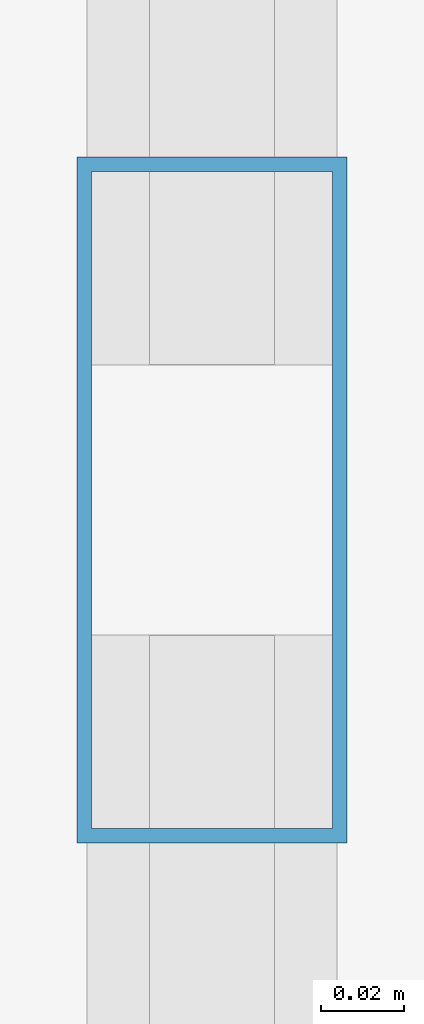
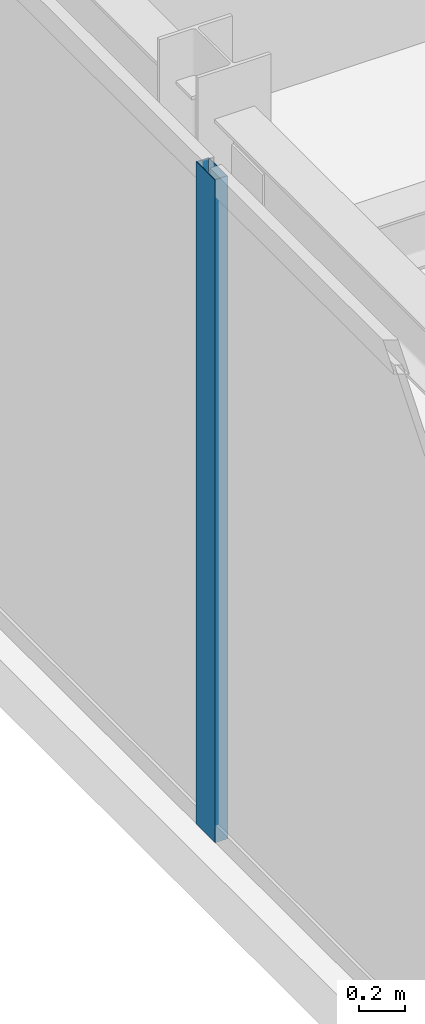
# One storey, part 9 of 25: 1 member, 1 element without a shape of its own.
"""IFC4 building model written with IfcOpenShell, lengths in metres."""

from ifc_helpers import new_model, si_unit, direction, frame, origin, origin_2d, place, context, subcontext, project, spatial, hollow_rectangle, extrude, source, transform, mapped, material, layer, layer_set, material_profile, profile_set, type_object, type_shapes, element, aggregate, save


model = new_model("IFC4")

# Units and contexts
model_context = context("Model", 3, precision=1e-05, world=origin(), true_north=direction((0.0, 1.0)))
body_context = subcontext(model_context, "Body", "Model", "MODEL_VIEW")
ifc_project = project(units=[si_unit("LENGTHUNIT", "METRE"), si_unit("AREAUNIT", "SQUARE_METRE"), si_unit("VOLUMEUNIT", "CUBIC_METRE"), si_unit("PLANEANGLEUNIT", "RADIAN"), si_unit("MASSUNIT", "GRAM", prefix="KILO")], contexts=[model_context])

# Site, building, storey
site_placement = place(None, origin())
site = spatial("IfcSite", under=ifc_project, at=site_placement, CompositionType="ELEMENT")
building_placement = place(site_placement, origin())
building = spatial("IfcBuilding", under=site, at=building_placement, Name="Varnel Quay Broadcast Tower", CompositionType="ELEMENT")
storey_placement = place(building_placement, frame((0.0, 0.0, 250.800048828125)))
storey = spatial("IfcBuildingStorey", under=building, at=storey_placement, Name="L62", CompositionType="ELEMENT", Elevation=250.800048828125)

# Curtain wall, member
ifc_material = material(Name="Anodised Bronze Aluminium 6063-T6", Category="aluminium")
ifc_layer = layer(ifc_material, 0.18994140625, Name="Anodised Bronze Aluminium 6063-T6")
ifc_layer_set = layer_set([ifc_layer], Name="Anodised Bronze Aluminium 6063-T6")
curtain_wall_type = type_object("IfcCurtainWallType", Name="CW_UpperTower", PredefinedType="NOTDEFINED", material=ifc_layer_set)
curtain_wall_placement = place(storey_placement, origin())
curtain_wall = element("IfcCurtainWall", 1, at=curtain_wall_placement, inside=storey, type_object=curtain_wall_type, Name="L62 West Unitised Curtain Wall", PredefinedType="NOTDEFINED")
ifc_material_profile = material_profile(ifc_material, hollow_rectangle(XDim=0.06494140625, YDim=0.1650390625, WallThickness=0.00341796875, at=origin_2d()), Name="ALU65X165X3.5")
ifc_profile_set = profile_set([ifc_material_profile], Name="Anodised Bronze Aluminium 6063-T6")
member_type = type_object("IfcMemberType", Name="Mull_CWS-03", PredefinedType="MULLION", material=ifc_profile_set)
shared_shape = source(origin(), body_context, "Body", "SweptSolid", [
    extrude(hollow_rectangle(XDim=0.06494140625, YDim=0.1650390625, WallThickness=0.00341796875, at=origin_2d()), origin(), (0.0, 0.0, 1.0), 3.550048828125),
])
type_shapes(member_type, [shared_shape])
member_placement = place(storey_placement, frame((9.64990234375, 28.5, 0.0), z_axis=(0.0, 0.0, 1.0), x_axis=(-1.0, 0.0, 0.0)))
member = element("IfcMember", 2, at=member_placement, type_object=member_type, Name="CWS-03 mullion 2", PredefinedType="MULLION", context=body_context, shape_type="MappedRepresentation", body=[
    mapped(shared_shape, transform((0.0, 0.0, 0.0), x_axis=(1.0, 0.0, 0.0), y_axis=(0.0, 1.0, 0.0), z_axis=(0.0, 0.0, 1.0), scale=1.0)),
])
aggregate(curtain_wall, [member])

save(model, "model.ifc")
